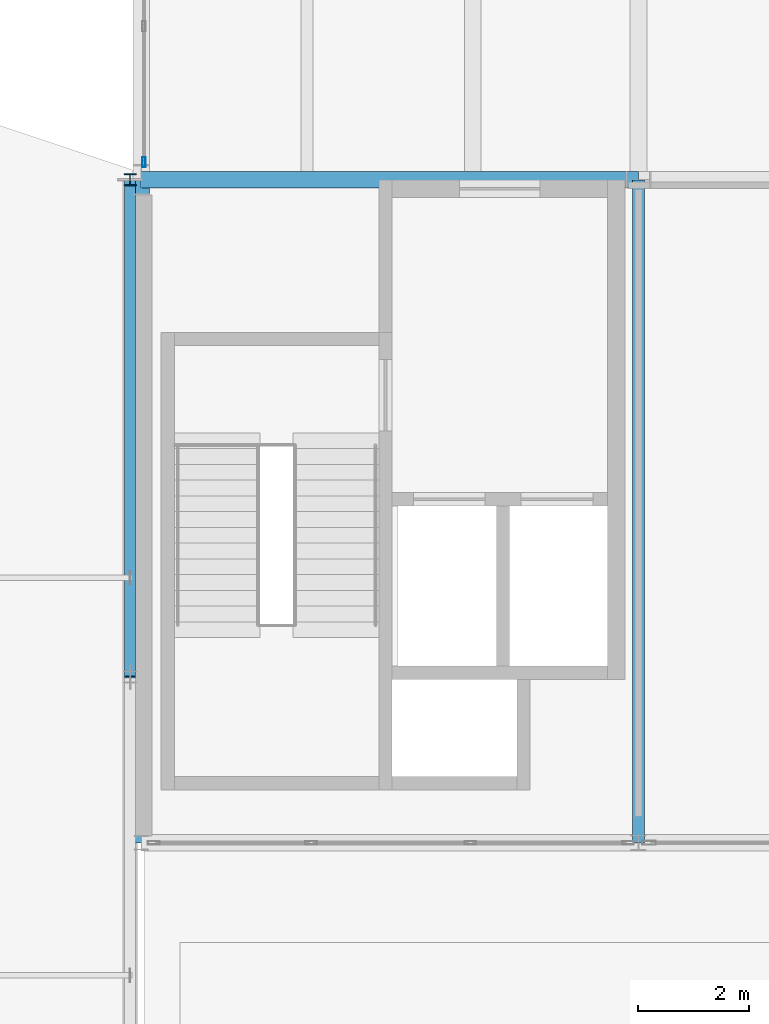
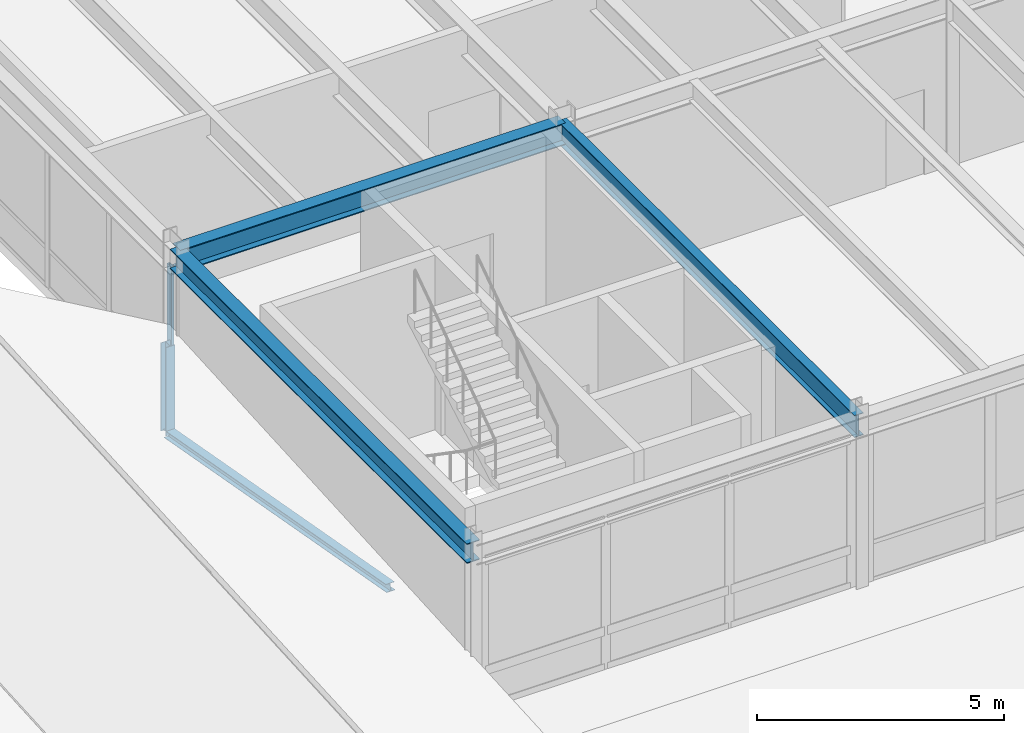
# One storey, part 73 of 142: 3 beams, 3 members, 1 element without a shape of its own.
"""IFC4 building model written with IfcOpenShell, lengths in metres."""

from ifc_helpers import new_model, si_unit, direction, frame, origin, origin_2d, place, context, subcontext, project, spatial, hollow_rectangle, i_section, extrude, material, layer, layer_set, material_profile, profile_set, type_object, element, aggregate, save


model = new_model("IFC4")

# Units and contexts
model_context = context("Model", 3, precision=1e-05, world=origin(), true_north=direction((0.0, 1.0)))
body_context = subcontext(model_context, "Body", "Model", "MODEL_VIEW")
ifc_project = project(units=[si_unit("LENGTHUNIT", "METRE"), si_unit("AREAUNIT", "SQUARE_METRE"), si_unit("VOLUMEUNIT", "CUBIC_METRE"), si_unit("PLANEANGLEUNIT", "RADIAN"), si_unit("MASSUNIT", "GRAM", prefix="KILO")], contexts=[model_context])

# Site, building, storey
site_placement = place(None, origin())
site = spatial("IfcSite", under=ifc_project, at=site_placement, CompositionType="ELEMENT")
building_placement = place(site_placement, origin())
building = spatial("IfcBuilding", under=site, at=building_placement, Name="Montelvaro Courts of Justice", CompositionType="ELEMENT")
storey_placement = place(building_placement, frame((0.0, 0.0, 14.39990234375)))
storey = spatial("IfcBuildingStorey", under=building, at=storey_placement, Name="L03", CompositionType="ELEMENT", Elevation=14.39990234375)

# Beams
ifc_material_1 = material(Name="Steel S355", Category="steel")
ifc_material_profile_1 = material_profile(ifc_material_1, i_section(OverallWidth=0.300048828125, OverallDepth=0.489990234375, WebThickness=0.011962890625, FlangeThickness=0.02294921875, at=origin_2d()), Name="HEA 500")
ifc_profile_set_1 = profile_set([ifc_material_profile_1], Name="Steel S355")
beam_type_1 = type_object("IfcBeamType", Name="Beam_HEA500", PredefinedType="USERDEFINED", material=ifc_profile_set_1)
beam_1_placement = place(storey_placement, frame((99.0, 66.0, 3.955078125), z_axis=(0.0, 1.0, 0.0), x_axis=(-1.0, 0.0, 0.0)))
element("IfcBeam", 1, at=beam_1_placement, inside=storey, type_object=beam_type_1, Name="Beam B-19 L03", ObjectType="GIRDER", PredefinedType="USERDEFINED", context=body_context, shape_type="SweptSolid", body=[
    extrude(i_section(OverallWidth=0.300048828125, OverallDepth=0.489990234375, WebThickness=0.011962890625, FlangeThickness=0.02294921875, at=origin_2d()), origin(), (0.0, 0.0, 1.0), 12.0),
])
ifc_material_profile_2 = material_profile(ifc_material_1, i_section(OverallWidth=0.300048828125, OverallDepth=0.5400390625, WebThickness=0.012451171875, FlangeThickness=0.02392578125, at=origin_2d()), Name="HEA 550")
ifc_profile_set_2 = profile_set([ifc_material_profile_2], Name="Steel S355")
beam_type_2 = type_object("IfcBeamType", Name="Beam_HEA550", PredefinedType="USERDEFINED", material=ifc_profile_set_2)
beam_2_placement = place(storey_placement, frame((99.0, 78.0, 3.93017578125), z_axis=(1.0, 0.0, 0.0), x_axis=(0.0, 1.0, 0.0)))
element("IfcBeam", 2, at=beam_2_placement, inside=storey, type_object=beam_type_2, Name="Beam B-20 L03", ObjectType="GIRDER", PredefinedType="USERDEFINED", context=body_context, shape_type="SweptSolid", body=[
    extrude(i_section(OverallWidth=0.300048828125, OverallDepth=0.5400390625, WebThickness=0.012451171875, FlangeThickness=0.02392578125, at=origin_2d()), origin(), (0.0, 0.0, 1.0), 9.0),
])
ifc_material_profile_3 = material_profile(ifc_material_1, i_section(OverallWidth=0.2099609375, OverallDepth=0.550048828125, WebThickness=0.010986328125, FlangeThickness=0.01708984375, at=origin_2d()), Name="IPE 550")
ifc_profile_set_3 = profile_set([ifc_material_profile_3], Name="Steel S355")
beam_type_3 = type_object("IfcBeamType", Name="Beam_IPE550", PredefinedType="BEAM", material=ifc_profile_set_3)
beam_3_placement = place(storey_placement, frame((108.0, 66.0, 3.925048828125), z_axis=(0.0, 1.0, 0.0), x_axis=(-1.0, 0.0, 0.0)))
element("IfcBeam", 3, at=beam_3_placement, inside=storey, type_object=beam_type_3, Name="Beam B-11 L03", PredefinedType="BEAM", context=body_context, shape_type="SweptSolid", body=[
    extrude(i_section(OverallWidth=0.2099609375, OverallDepth=0.550048828125, WebThickness=0.010986328125, FlangeThickness=0.01708984375, at=origin_2d()), origin(), (0.0, 0.0, 1.0), 12.0),
])

# Curtain wall, member
ifc_material_2 = material(Name="Anodised aluminium EN AW-6063", Category="aluminium")
ifc_layer = layer(ifc_material_2, 0.159912109375)
ifc_layer_set = layer_set([ifc_layer], Name="Anodised aluminium EN AW-6063")
curtain_wall_type = type_object("IfcCurtainWallType", Name="CurtainWall_30_1742x418", PredefinedType="USERDEFINED", material=ifc_layer_set)
curtain_wall_placement = place(storey_placement, origin())
curtain_wall = element("IfcCurtainWall", 4, at=curtain_wall_placement, inside=storey, type_object=curtain_wall_type, Name="Curtain Wall CW-30 (L03)", ObjectType="CURTAIN WALL", PredefinedType="USERDEFINED")
ifc_material_profile_4 = material_profile(ifc_material_2, hollow_rectangle(XDim=0.06005859375, YDim=0.179931640625, WallThickness=0.00439453125, at=origin_2d()), Name="ALU-M 60x180")
ifc_profile_set_4 = profile_set([ifc_material_profile_4], Name="Anodised aluminium EN AW-6063")
member_type_1 = type_object("IfcMemberType", Name="CurtainWall_Mullion_60x180", PredefinedType="MULLION", material=ifc_profile_set_4)
member_1_placement = place(storey_placement, frame((99.050048828125, 78.320068359375, 0.0), z_axis=(0.0, 0.0, 1.0), x_axis=(1.0, 0.0, 0.0)))
member_1 = element("IfcMember", 5, at=member_1_placement, type_object=member_type_1, Name="CW-30 mullion 8", PredefinedType="MULLION", context=body_context, shape_type="SweptSolid", body=[
    extrude(hollow_rectangle(XDim=0.06005859375, YDim=0.179931640625, WallThickness=0.00439453125, at=origin_2d()), origin(), (0.0, 0.0, 1.0), 3.545166015625),
])
aggregate(curtain_wall, [member_1])

# Members
ifc_material_profile_5 = material_profile(ifc_material_1, i_section(OverallWidth=0.199951171875, OverallDepth=0.18994140625, WebThickness=0.006591796875, FlangeThickness=0.010009765625, at=origin_2d()), Name="HEA 200")
ifc_profile_set_5 = profile_set([ifc_material_profile_5], Name="Steel S355")
member_type_2 = type_object("IfcMemberType", Name="Mem_HEA200_Brace", PredefinedType="BRACE", material=ifc_profile_set_5)
member_2_placement = place(storey_placement, frame((98.800048828125, 69.0, 1.330078125), z_axis=(0.0, 0.983994378641, -0.178199502816), x_axis=(-1.0, 0.0, 0.0)))
element("IfcMember", 6, at=member_2_placement, inside=storey, type_object=member_type_2, Name="Roof Truss Web MB-02 ROOF-PASSAGE-VTR06-W4", PredefinedType="BRACE", context=body_context, shape_type="SweptSolid", body=[
    extrude(i_section(OverallWidth=0.199951171875, OverallDepth=0.18994140625, WebThickness=0.006591796875, FlangeThickness=0.010009765625, at=origin_2d()), origin(), (0.0, 0.0, 1.0), 9.146484375),
])
ifc_material_profile_6 = material_profile(ifc_material_1, i_section(OverallWidth=0.219970703125, OverallDepth=0.2099609375, WebThickness=0.007080078125, FlangeThickness=0.010986328125, at=origin_2d()), Name="HEA 220")
ifc_profile_set_6 = profile_set([ifc_material_profile_6], Name="Steel S355")
member_type_3 = type_object("IfcMemberType", Name="Mem_HEA220_Post", PredefinedType="POST", material=ifc_profile_set_6)
member_3_placement = place(storey_placement, frame((98.800048828125, 78.0, -0.2998046875), z_axis=(0.0, 0.0, 1.0), x_axis=(1.0, 0.0, 0.0)))
element("IfcMember", 7, at=member_3_placement, inside=storey, type_object=member_type_3, Name="Roof Truss Post MP-03 ROOF-PASSAGE-VTR06-V4", PredefinedType="POST", context=body_context, shape_type="SweptSolid", body=[
    extrude(i_section(OverallWidth=0.219970703125, OverallDepth=0.2099609375, WebThickness=0.007080078125, FlangeThickness=0.010986328125, at=origin_2d()), origin(), (0.0, 0.0, 1.0), 2.179931640625),
])

save(model, "model.ifc")
